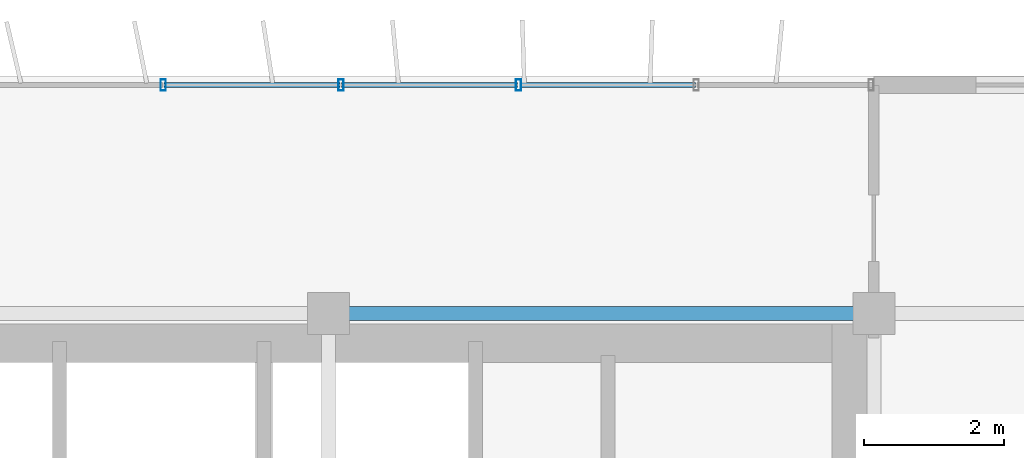
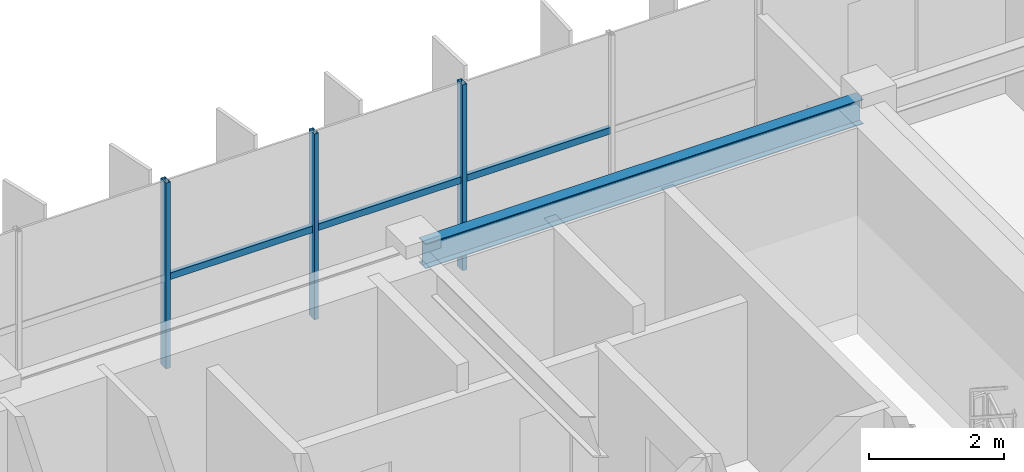
# One storey, part 12 of 21: 6 members, 1 beam, 1 element without a shape of its own.
"""IFC4 building model written with IfcOpenShell, lengths in metres."""

from ifc_helpers import new_model, si_unit, direction, frame, origin, origin_2d, place, context, subcontext, project, spatial, hollow_rectangle, i_section, extrude, source, transform, mapped, material, material_profile, profile_set, type_object, element, aggregate, save


model = new_model("IFC4")

# Units and contexts
model_context = context("Model", 3, precision=1e-05, world=origin(), true_north=direction((0.0, 1.0)))
body_context = subcontext(model_context, "Body", "Model", "MODEL_VIEW")
ifc_project = project(units=[si_unit("LENGTHUNIT", "METRE"), si_unit("AREAUNIT", "SQUARE_METRE"), si_unit("VOLUMEUNIT", "CUBIC_METRE"), si_unit("PLANEANGLEUNIT", "RADIAN"), si_unit("MASSUNIT", "GRAM", prefix="KILO")], contexts=[model_context])

# Site, building, storey
site_placement = place(None, origin())
site = spatial("IfcSite", under=ifc_project, at=site_placement, CompositionType="ELEMENT")
building_placement = place(site_placement, origin())
building = spatial("IfcBuilding", under=site, at=building_placement, Name="Trelvane Seafront Commons", CompositionType="ELEMENT")
storey_placement = place(building_placement, frame((0.0, 0.0, 248.699951171875)))
storey = spatial("IfcBuildingStorey", under=building, at=storey_placement, Name="L64", CompositionType="ELEMENT", Elevation=248.699951171875)

# Beam
ifc_material_1 = material(Name="Steel SM355 (S355)", Category="steel")
ifc_material_profile_1 = material_profile(ifc_material_1, i_section(OverallWidth=0.199951171875, OverallDepth=0.449951171875, WebThickness=0.009033203125, FlangeThickness=0.013916015625, at=origin_2d()), Name="H-450x200x9x14")
ifc_profile_set_1 = profile_set([ifc_material_profile_1], Name="Steel SM355 (S355)")
beam_type = type_object("IfcBeamType", Name="STR-SPD-H450", PredefinedType="SPANDREL", material=ifc_profile_set_1)
shared_shape_1 = source(origin(), body_context, "Body", "SweptSolid", [
    extrude(i_section(OverallWidth=0.199951171875, OverallDepth=0.449951171875, WebThickness=0.009033203125, FlangeThickness=0.013916015625, at=origin_2d()), origin(), (0.0, 0.0, 1.0), 7.5),
])
beam_placement = place(storey_placement, frame((51.14990234375, 45.10009765625, 3.14501953125), z_axis=(1.0, 0.0, 0.0), x_axis=(0.0, 1.0, 0.0)))
element("IfcBeam", 1, at=beam_placement, inside=storey, type_object=beam_type, Name="L64 Primary Girder G-27", PredefinedType="SPANDREL", context=body_context, shape_type="MappedRepresentation", body=[
    mapped(shared_shape_1, transform((0.0, 0.0, 0.0), x_axis=(1.0, 0.0, 0.0), y_axis=(0.0, 1.0, 0.0), z_axis=(0.0, 0.0, 1.0), scale=1.0)),
])

# Curtain wall, members
ifc_material_2 = material(Name="Anodised pale-silver aluminium", Category="aluminium")
curtain_wall_type = type_object("IfcCurtainWallType", Name="ARCH-CW5-UPTOWER", PredefinedType="NOTDEFINED", material=ifc_material_2)
curtain_wall_placement = place(storey_placement, origin())
curtain_wall = element("IfcCurtainWall", 2, at=curtain_wall_placement, inside=storey, type_object=curtain_wall_type, Name="CW-L64-0108", PredefinedType="NOTDEFINED")
ifc_material_profile_2 = material_profile(ifc_material_2, hollow_rectangle(XDim=0.070068359375, YDim=0.1201171875, WallThickness=0.00390625, at=origin_2d()), Name="TRAN-70x120x4")
ifc_profile_set_2 = profile_set([ifc_material_profile_2], Name="Anodised pale-silver aluminium")
member_type_1 = type_object("IfcMemberType", Name="ARCH-CW-TRAN-120", PredefinedType="USERDEFINED", material=ifc_profile_set_2)
shared_shape_2 = source(origin(), body_context, "Body", "SweptSolid", [
    extrude(hollow_rectangle(XDim=0.070068359375, YDim=0.1201171875, WallThickness=0.00390625, at=origin_2d()), origin(), (0.0, 0.0, 1.0), 2.51708984375),
])
member_1_placement = place(storey_placement, frame((51.1884765625, 48.3701171875, 1.6181640625), z_axis=(1.0, 0.0, 0.0), x_axis=(0.0, 1.0, 0.0)))
member_1 = element("IfcMember", 3, at=member_1_placement, type_object=member_type_1, Name="CW-L64-0108-T14", ObjectType="TRANSOM", PredefinedType="USERDEFINED", context=body_context, shape_type="MappedRepresentation", body=[
    mapped(shared_shape_2, transform((0.0, 0.0, 0.0), x_axis=(1.0, 0.0, 0.0), y_axis=(0.0, 1.0, 0.0), z_axis=(0.0, 0.0, 1.0), scale=1.0)),
])
shared_shape_3 = source(origin(), body_context, "Body", "SweptSolid", [
    extrude(hollow_rectangle(XDim=0.070068359375, YDim=0.1201171875, WallThickness=0.00390625, at=origin_2d()), origin(), (0.0, 0.0, 1.0), 2.517333984375),
])
member_2_placement = place(storey_placement, frame((48.647216796875, 48.3701171875, 1.6181640625), z_axis=(1.0, 0.0, 0.0), x_axis=(0.0, 1.0, 0.0)))
member_2 = element("IfcMember", 4, at=member_2_placement, type_object=member_type_1, Name="CW-L64-0108-T13", ObjectType="TRANSOM", PredefinedType="USERDEFINED", context=body_context, shape_type="MappedRepresentation", body=[
    mapped(shared_shape_3, transform((0.0, 0.0, 0.0), x_axis=(1.0, 0.0, 0.0), y_axis=(0.0, 1.0, 0.0), z_axis=(0.0, 0.0, 1.0), scale=1.0)),
])
member_3_placement = place(storey_placement, frame((53.7294921875, 48.3701171875, 1.6181640625), z_axis=(1.0, 0.0, 0.0), x_axis=(0.0, 1.0, 0.0)))
member_3 = element("IfcMember", 5, at=member_3_placement, type_object=member_type_1, Name="CW-L64-0108-T15", ObjectType="TRANSOM", PredefinedType="USERDEFINED", context=body_context, shape_type="MappedRepresentation", body=[
    mapped(shared_shape_3, transform((0.0, 0.0, 0.0), x_axis=(1.0, 0.0, 0.0), y_axis=(0.0, 1.0, 0.0), z_axis=(0.0, 0.0, 1.0), scale=1.0)),
])
ifc_material_profile_3 = material_profile(ifc_material_2, hollow_rectangle(XDim=0.074951171875, YDim=0.159912109375, WallThickness=0.00390625, at=origin_2d()), Name="MULL-75x160x4")
ifc_profile_set_3 = profile_set([ifc_material_profile_3], Name="Anodised pale-silver aluminium")
member_type_2 = type_object("IfcMemberType", Name="ARCH-CW-MULL-160", PredefinedType="MULLION", material=ifc_profile_set_3)
shared_shape_4 = source(origin(), body_context, "Body", "SweptSolid", [
    extrude(hollow_rectangle(XDim=0.074951171875, YDim=0.159912109375, WallThickness=0.00390625, at=origin_2d()), origin(), (0.0, 0.0, 1.0), 3.3701171875),
])
member_4_placement = place(storey_placement, frame((48.63525390625, 48.3701171875, 0.0), z_axis=(0.0, 0.0, 1.0), x_axis=(1.0, 0.0, 0.0)))
member_4 = element("IfcMember", 6, at=member_4_placement, type_object=member_type_2, Name="CW-L64-0108-M13", PredefinedType="MULLION", context=body_context, shape_type="MappedRepresentation", body=[
    mapped(shared_shape_4, transform((0.0, 0.0, 0.0), x_axis=(1.0, 0.0, 0.0), y_axis=(0.0, 1.0, 0.0), z_axis=(0.0, 0.0, 1.0), scale=1.0)),
])
member_5_placement = place(storey_placement, frame((51.176513671875, 48.3701171875, 0.0), z_axis=(0.0, 0.0, 1.0), x_axis=(1.0, 0.0, 0.0)))
member_5 = element("IfcMember", 7, at=member_5_placement, type_object=member_type_2, Name="CW-L64-0108-M14", PredefinedType="MULLION", context=body_context, shape_type="MappedRepresentation", body=[
    mapped(shared_shape_4, transform((0.0, 0.0, 0.0), x_axis=(1.0, 0.0, 0.0), y_axis=(0.0, 1.0, 0.0), z_axis=(0.0, 0.0, 1.0), scale=1.0)),
])
member_6_placement = place(storey_placement, frame((53.717529296875, 48.3701171875, 0.0), z_axis=(0.0, 0.0, 1.0), x_axis=(1.0, 0.0, 0.0)))
member_6 = element("IfcMember", 8, at=member_6_placement, type_object=member_type_2, Name="CW-L64-0108-M15", PredefinedType="MULLION", context=body_context, shape_type="MappedRepresentation", body=[
    mapped(shared_shape_4, transform((0.0, 0.0, 0.0), x_axis=(1.0, 0.0, 0.0), y_axis=(0.0, 1.0, 0.0), z_axis=(0.0, 0.0, 1.0), scale=1.0)),
])
aggregate(curtain_wall, [member_4, member_5, member_6, member_2, member_1, member_3])

save(model, "model.ifc")
